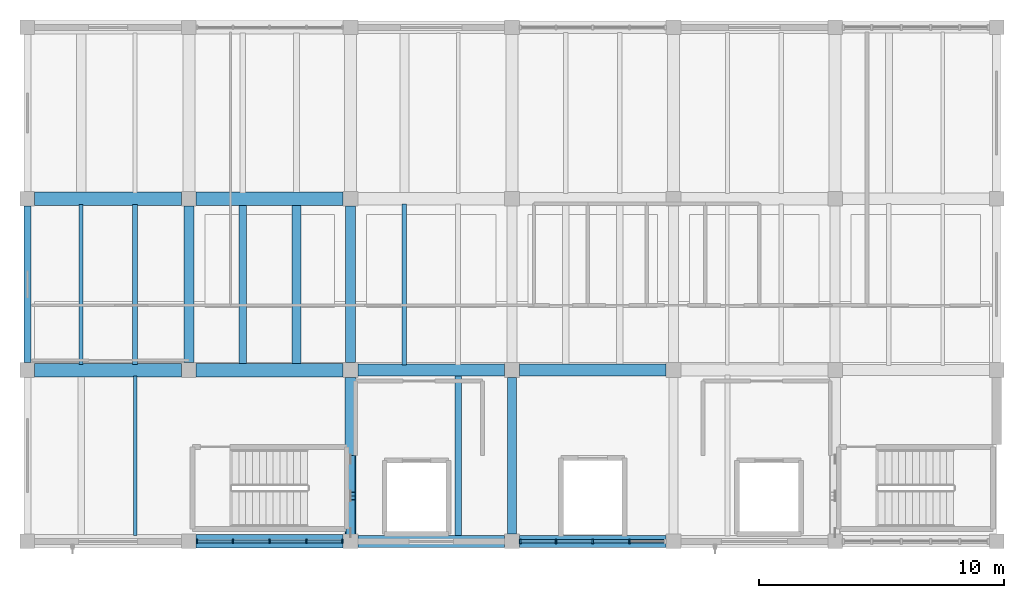
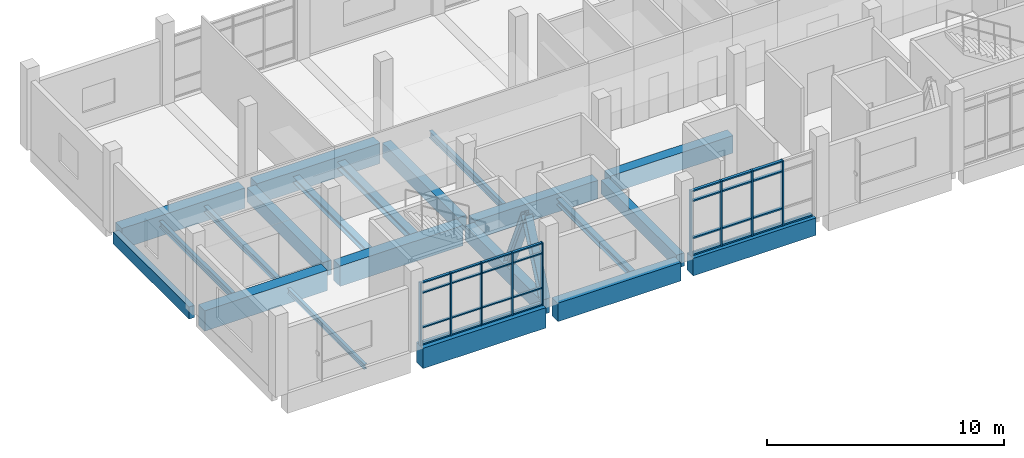
# One storey, part 2 of 14: 40 members, 21 beams, 2 elements without a shape of their own.
"""IFC4 building model written with IfcOpenShell, lengths in metres."""

from ifc_helpers import new_model, si_unit, direction, frame, origin, origin_2d, place, context, subcontext, project, spatial, rectangle, i_section, extrude, material, material_profile, profile_set, type_object, element, aggregate, save


model = new_model("IFC4")

# Units and contexts
model_context = context("Model", 3, precision=1e-05, world=origin(), true_north=direction((0.0, 1.0)))
body_context = subcontext(model_context, "Body", "Model", "MODEL_VIEW")
ifc_project = project(units=[si_unit("LENGTHUNIT", "METRE"), si_unit("AREAUNIT", "SQUARE_METRE"), si_unit("VOLUMEUNIT", "CUBIC_METRE"), si_unit("PLANEANGLEUNIT", "RADIAN"), si_unit("MASSUNIT", "GRAM", prefix="KILO")], contexts=[model_context])

# Site, building, storey
site_placement = place(None, origin())
site = spatial("IfcSite", under=ifc_project, at=site_placement, CompositionType="ELEMENT")
building_placement = place(site_placement, origin())
building = spatial("IfcBuilding", under=site, at=building_placement, Name="Ciguamira Faculty of Natural Sciences", CompositionType="ELEMENT")
storey_placement = place(building_placement, frame((0.0, 0.0, 33.60009765625)))
storey = spatial("IfcBuildingStorey", under=building, at=storey_placement, Name="L08", CompositionType="ELEMENT", Elevation=33.60009765625)

# Curtain wall, members
ifc_material_1 = material(Name="Anodized aluminium curtain wall", Category="aluminium")
curtain_wall_type_1 = type_object("IfcCurtainWallType", Name="CurtainWall_CW-10", PredefinedType="USERDEFINED", material=ifc_material_1)
curtain_wall_1_placement = place(storey_placement, origin())
curtain_wall_1 = element("IfcCurtainWall", 1, at=curtain_wall_1_placement, inside=storey, type_object=curtain_wall_type_1, Name="L08 unitised curtain wall 0154", ObjectType="UNITISED CURTAIN WALL", PredefinedType="USERDEFINED")
ifc_material_2 = material(Name="Anodized aluminium mullion", Category="aluminium")
ifc_material_profile_1 = material_profile(ifc_material_2, rectangle(XDim=0.06005859375, YDim=0.159912109375, at=origin_2d()), Name="ALU-MUL-60X160")
ifc_profile_set_1 = profile_set([ifc_material_profile_1], Name="Anodized aluminium mullion")
member_type_1 = type_object("IfcMemberType", Name="CWMullion_CWM-01", PredefinedType="MULLION", material=ifc_profile_set_1)
member_1_placement = place(storey_placement, frame((70.830078125, 94.0, 0.0), z_axis=(0.0, 0.0, 1.0), x_axis=(1.0, 0.0, 0.0)))
member_1 = element("IfcMember", 2, at=member_1_placement, type_object=member_type_1, Name="CW-10 mullion 1", PredefinedType="MULLION", context=body_context, shape_type="SweptSolid", body=[
    extrude(rectangle(XDim=0.06005859375, YDim=0.159912109375, at=origin_2d()), origin(), (0.0, 0.0, 1.0), 3.23486328125),
])
member_2_placement = place(storey_placement, frame((72.300048828125, 94.0, 0.0), z_axis=(0.0, 0.0, 1.0), x_axis=(1.0, 0.0, 0.0)))
member_2 = element("IfcMember", 3, at=member_2_placement, type_object=member_type_1, Name="CW-10 mullion 2", PredefinedType="MULLION", context=body_context, shape_type="SweptSolid", body=[
    extrude(rectangle(XDim=0.06005859375, YDim=0.159912109375, at=origin_2d()), origin(), (0.0, 0.0, 1.0), 3.23486328125),
])
member_3_placement = place(storey_placement, frame((73.800048828125, 94.0, 0.0), z_axis=(0.0, 0.0, 1.0), x_axis=(1.0, 0.0, 0.0)))
member_3 = element("IfcMember", 4, at=member_3_placement, type_object=member_type_1, Name="CW-10 mullion 3", PredefinedType="MULLION", context=body_context, shape_type="SweptSolid", body=[
    extrude(rectangle(XDim=0.06005859375, YDim=0.159912109375, at=origin_2d()), origin(), (0.0, 0.0, 1.0), 3.23486328125),
])
member_4_placement = place(storey_placement, frame((75.300048828125, 94.0, 0.0), z_axis=(0.0, 0.0, 1.0), x_axis=(1.0, 0.0, 0.0)))
member_4 = element("IfcMember", 5, at=member_4_placement, type_object=member_type_1, Name="CW-10 mullion 4", PredefinedType="MULLION", context=body_context, shape_type="SweptSolid", body=[
    extrude(rectangle(XDim=0.06005859375, YDim=0.159912109375, at=origin_2d()), origin(), (0.0, 0.0, 1.0), 3.23486328125),
])
member_5_placement = place(storey_placement, frame((76.77001953125, 94.0, 0.0), z_axis=(0.0, 0.0, 1.0), x_axis=(1.0, 0.0, 0.0)))
member_5 = element("IfcMember", 6, at=member_5_placement, type_object=member_type_1, Name="CW-10 mullion 5", PredefinedType="MULLION", context=body_context, shape_type="SweptSolid", body=[
    extrude(rectangle(XDim=0.06005859375, YDim=0.159912109375, at=origin_2d()), origin(), (0.0, 0.0, 1.0), 3.23486328125),
])

curtain_wall_type_2 = type_object("IfcCurtainWallType", Name="CurtainWall_CW-11", PredefinedType="USERDEFINED", material=ifc_material_1)
curtain_wall_2_placement = place(storey_placement, origin())
curtain_wall_2 = element("IfcCurtainWall", 7, at=curtain_wall_2_placement, inside=storey, type_object=curtain_wall_type_2, Name="L08 unitised curtain wall 0155", ObjectType="UNITISED CURTAIN WALL", PredefinedType="USERDEFINED")
ifc_material_profile_2 = material_profile(ifc_material_2, rectangle(XDim=0.070068359375, YDim=0.179931640625, at=origin_2d()), Name="ALU-MUL-70X180")
ifc_profile_set_2 = profile_set([ifc_material_profile_2], Name="Anodized aluminium mullion")
member_type_2 = type_object("IfcMemberType", Name="CWMullion_CWM-02", PredefinedType="MULLION", material=ifc_profile_set_2)
member_6_placement = place(storey_placement, frame((84.034912109375, 94.0, 0.0), z_axis=(0.0, 0.0, 1.0), x_axis=(1.0, 0.0, 0.0)))
member_6 = element("IfcMember", 8, at=member_6_placement, type_object=member_type_2, Name="CW-11 mullion 1", PredefinedType="MULLION", context=body_context, shape_type="SweptSolid", body=[
    extrude(rectangle(XDim=0.070068359375, YDim=0.179931640625, at=origin_2d()), origin(), (0.0, 0.0, 1.0), 3.364990234375),
])
member_7_placement = place(storey_placement, frame((85.5, 94.0, 0.0), z_axis=(0.0, 0.0, 1.0), x_axis=(1.0, 0.0, 0.0)))
member_7 = element("IfcMember", 9, at=member_7_placement, type_object=member_type_2, Name="CW-11 mullion 2", PredefinedType="MULLION", context=body_context, shape_type="SweptSolid", body=[
    extrude(rectangle(XDim=0.070068359375, YDim=0.179931640625, at=origin_2d()), origin(), (0.0, 0.0, 1.0), 3.364990234375),
])
member_8_placement = place(storey_placement, frame((87.0, 94.0, 0.0), z_axis=(0.0, 0.0, 1.0), x_axis=(1.0, 0.0, 0.0)))
member_8 = element("IfcMember", 10, at=member_8_placement, type_object=member_type_2, Name="CW-11 mullion 3", PredefinedType="MULLION", context=body_context, shape_type="SweptSolid", body=[
    extrude(rectangle(XDim=0.070068359375, YDim=0.179931640625, at=origin_2d()), origin(), (0.0, 0.0, 1.0), 3.364990234375),
])
member_9_placement = place(storey_placement, frame((88.5, 94.0, 0.0), z_axis=(0.0, 0.0, 1.0), x_axis=(1.0, 0.0, 0.0)))
member_9 = element("IfcMember", 11, at=member_9_placement, type_object=member_type_2, Name="CW-11 mullion 4", PredefinedType="MULLION", context=body_context, shape_type="SweptSolid", body=[
    extrude(rectangle(XDim=0.070068359375, YDim=0.179931640625, at=origin_2d()), origin(), (0.0, 0.0, 1.0), 3.364990234375),
])

# Member
ifc_material_3 = material(Name="Anodized aluminium transom", Category="aluminium")
ifc_material_profile_3 = material_profile(ifc_material_3, rectangle(XDim=0.06005859375, YDim=0.1201171875, at=origin_2d()), Name="ALU-TRN-60X120")
ifc_profile_set_3 = profile_set([ifc_material_profile_3], Name="Anodized aluminium transom")
member_type_3 = type_object("IfcMemberType", Name="CWTransom_CWT-01", PredefinedType="USERDEFINED", material=ifc_profile_set_3)
member_10_placement = place(storey_placement, frame((70.860107421875, 94.0, 0.02978515625), z_axis=(1.0, 0.0, 0.0), x_axis=(0.0, 0.0, 1.0)))
member_10 = element("IfcMember", 12, at=member_10_placement, type_object=member_type_3, Name="CW-10 transom 1.1", ObjectType="TRANSOM", PredefinedType="USERDEFINED", context=body_context, shape_type="SweptSolid", body=[
    extrude(rectangle(XDim=0.06005859375, YDim=0.1201171875, at=origin_2d()), origin(), (0.0, 0.0, 1.0), 1.409912109375),
])

member_11_placement = place(storey_placement, frame((70.860107421875, 94.0, 0.89990234375), z_axis=(1.0, 0.0, 0.0), x_axis=(0.0, 0.0, 1.0)))
member_11 = element("IfcMember", 13, at=member_11_placement, type_object=member_type_3, Name="CW-10 transom 1.2", ObjectType="TRANSOM", PredefinedType="USERDEFINED", context=body_context, shape_type="SweptSolid", body=[
    extrude(rectangle(XDim=0.06005859375, YDim=0.1201171875, at=origin_2d()), origin(), (0.0, 0.0, 1.0), 1.409912109375),
])

member_12_placement = place(storey_placement, frame((70.860107421875, 94.0, 2.684814453125), z_axis=(1.0, 0.0, 0.0), x_axis=(0.0, 0.0, 1.0)))
member_12 = element("IfcMember", 14, at=member_12_placement, type_object=member_type_3, Name="CW-10 transom 1.3", ObjectType="TRANSOM", PredefinedType="USERDEFINED", context=body_context, shape_type="SweptSolid", body=[
    extrude(rectangle(XDim=0.06005859375, YDim=0.1201171875, at=origin_2d()), origin(), (0.0, 0.0, 1.0), 1.409912109375),
])

member_13_placement = place(storey_placement, frame((70.860107421875, 94.0, 3.204833984375), z_axis=(1.0, 0.0, 0.0), x_axis=(0.0, 0.0, 1.0)))
member_13 = element("IfcMember", 15, at=member_13_placement, type_object=member_type_3, Name="CW-10 transom 1.4", ObjectType="TRANSOM", PredefinedType="USERDEFINED", context=body_context, shape_type="SweptSolid", body=[
    extrude(rectangle(XDim=0.06005859375, YDim=0.1201171875, at=origin_2d()), origin(), (0.0, 0.0, 1.0), 1.409912109375),
])

member_14_placement = place(storey_placement, frame((72.330078125, 94.0, 0.02978515625), z_axis=(1.0, 0.0, 0.0), x_axis=(0.0, 0.0, 1.0)))
member_14 = element("IfcMember", 16, at=member_14_placement, type_object=member_type_3, Name="CW-10 transom 2.1", ObjectType="TRANSOM", PredefinedType="USERDEFINED", context=body_context, shape_type="SweptSolid", body=[
    extrude(rectangle(XDim=0.06005859375, YDim=0.1201171875, at=origin_2d()), origin(), (0.0, 0.0, 1.0), 1.43994140625),
])

member_15_placement = place(storey_placement, frame((72.330078125, 94.0, 0.89990234375), z_axis=(1.0, 0.0, 0.0), x_axis=(0.0, 0.0, 1.0)))
member_15 = element("IfcMember", 17, at=member_15_placement, type_object=member_type_3, Name="CW-10 transom 2.2", ObjectType="TRANSOM", PredefinedType="USERDEFINED", context=body_context, shape_type="SweptSolid", body=[
    extrude(rectangle(XDim=0.06005859375, YDim=0.1201171875, at=origin_2d()), origin(), (0.0, 0.0, 1.0), 1.43994140625),
])

member_16_placement = place(storey_placement, frame((72.330078125, 94.0, 2.684814453125), z_axis=(1.0, 0.0, 0.0), x_axis=(0.0, 0.0, 1.0)))
member_16 = element("IfcMember", 18, at=member_16_placement, type_object=member_type_3, Name="CW-10 transom 2.3", ObjectType="TRANSOM", PredefinedType="USERDEFINED", context=body_context, shape_type="SweptSolid", body=[
    extrude(rectangle(XDim=0.06005859375, YDim=0.1201171875, at=origin_2d()), origin(), (0.0, 0.0, 1.0), 1.43994140625),
])

member_17_placement = place(storey_placement, frame((72.330078125, 94.0, 3.204833984375), z_axis=(1.0, 0.0, 0.0), x_axis=(0.0, 0.0, 1.0)))
member_17 = element("IfcMember", 19, at=member_17_placement, type_object=member_type_3, Name="CW-10 transom 2.4", ObjectType="TRANSOM", PredefinedType="USERDEFINED", context=body_context, shape_type="SweptSolid", body=[
    extrude(rectangle(XDim=0.06005859375, YDim=0.1201171875, at=origin_2d()), origin(), (0.0, 0.0, 1.0), 1.43994140625),
])

member_18_placement = place(storey_placement, frame((73.830078125, 94.0, 0.02978515625), z_axis=(1.0, 0.0, 0.0), x_axis=(0.0, 0.0, 1.0)))
member_18 = element("IfcMember", 20, at=member_18_placement, type_object=member_type_3, Name="CW-10 transom 3.1", ObjectType="TRANSOM", PredefinedType="USERDEFINED", context=body_context, shape_type="SweptSolid", body=[
    extrude(rectangle(XDim=0.06005859375, YDim=0.1201171875, at=origin_2d()), origin(), (0.0, 0.0, 1.0), 1.43994140625),
])

member_19_placement = place(storey_placement, frame((73.830078125, 94.0, 0.89990234375), z_axis=(1.0, 0.0, 0.0), x_axis=(0.0, 0.0, 1.0)))
member_19 = element("IfcMember", 21, at=member_19_placement, type_object=member_type_3, Name="CW-10 transom 3.2", ObjectType="TRANSOM", PredefinedType="USERDEFINED", context=body_context, shape_type="SweptSolid", body=[
    extrude(rectangle(XDim=0.06005859375, YDim=0.1201171875, at=origin_2d()), origin(), (0.0, 0.0, 1.0), 1.43994140625),
])

member_20_placement = place(storey_placement, frame((73.830078125, 94.0, 2.684814453125), z_axis=(1.0, 0.0, 0.0), x_axis=(0.0, 0.0, 1.0)))
member_20 = element("IfcMember", 22, at=member_20_placement, type_object=member_type_3, Name="CW-10 transom 3.3", ObjectType="TRANSOM", PredefinedType="USERDEFINED", context=body_context, shape_type="SweptSolid", body=[
    extrude(rectangle(XDim=0.06005859375, YDim=0.1201171875, at=origin_2d()), origin(), (0.0, 0.0, 1.0), 1.43994140625),
])

member_21_placement = place(storey_placement, frame((73.830078125, 94.0, 3.204833984375), z_axis=(1.0, 0.0, 0.0), x_axis=(0.0, 0.0, 1.0)))
member_21 = element("IfcMember", 23, at=member_21_placement, type_object=member_type_3, Name="CW-10 transom 3.4", ObjectType="TRANSOM", PredefinedType="USERDEFINED", context=body_context, shape_type="SweptSolid", body=[
    extrude(rectangle(XDim=0.06005859375, YDim=0.1201171875, at=origin_2d()), origin(), (0.0, 0.0, 1.0), 1.43994140625),
])

member_22_placement = place(storey_placement, frame((75.330078125, 94.0, 0.02978515625), z_axis=(1.0, 0.0, 0.0), x_axis=(0.0, 0.0, 1.0)))
member_22 = element("IfcMember", 24, at=member_22_placement, type_object=member_type_3, Name="CW-10 transom 4.1", ObjectType="TRANSOM", PredefinedType="USERDEFINED", context=body_context, shape_type="SweptSolid", body=[
    extrude(rectangle(XDim=0.06005859375, YDim=0.1201171875, at=origin_2d()), origin(), (0.0, 0.0, 1.0), 1.409912109375),
])

member_23_placement = place(storey_placement, frame((75.330078125, 94.0, 0.89990234375), z_axis=(1.0, 0.0, 0.0), x_axis=(0.0, 0.0, 1.0)))
member_23 = element("IfcMember", 25, at=member_23_placement, type_object=member_type_3, Name="CW-10 transom 4.2", ObjectType="TRANSOM", PredefinedType="USERDEFINED", context=body_context, shape_type="SweptSolid", body=[
    extrude(rectangle(XDim=0.06005859375, YDim=0.1201171875, at=origin_2d()), origin(), (0.0, 0.0, 1.0), 1.409912109375),
])

member_24_placement = place(storey_placement, frame((75.330078125, 94.0, 2.684814453125), z_axis=(1.0, 0.0, 0.0), x_axis=(0.0, 0.0, 1.0)))
member_24 = element("IfcMember", 26, at=member_24_placement, type_object=member_type_3, Name="CW-10 transom 4.3", ObjectType="TRANSOM", PredefinedType="USERDEFINED", context=body_context, shape_type="SweptSolid", body=[
    extrude(rectangle(XDim=0.06005859375, YDim=0.1201171875, at=origin_2d()), origin(), (0.0, 0.0, 1.0), 1.409912109375),
])

member_25_placement = place(storey_placement, frame((75.330078125, 94.0, 3.204833984375), z_axis=(1.0, 0.0, 0.0), x_axis=(0.0, 0.0, 1.0)))
member_25 = element("IfcMember", 27, at=member_25_placement, type_object=member_type_3, Name="CW-10 transom 4.4", ObjectType="TRANSOM", PredefinedType="USERDEFINED", context=body_context, shape_type="SweptSolid", body=[
    extrude(rectangle(XDim=0.06005859375, YDim=0.1201171875, at=origin_2d()), origin(), (0.0, 0.0, 1.0), 1.409912109375),
])

aggregate(curtain_wall_1, [member_1, member_2, member_3, member_4, member_5, member_10, member_11, member_12, member_13, member_14, member_15, member_16, member_17, member_18, member_19, member_20, member_21, member_22, member_23, member_24, member_25])

ifc_material_profile_4 = material_profile(ifc_material_3, rectangle(XDim=0.070068359375, YDim=0.139892578125, at=origin_2d()), Name="ALU-TRN-70X140")
ifc_profile_set_4 = profile_set([ifc_material_profile_4], Name="Anodized aluminium transom")
member_type_4 = type_object("IfcMemberType", Name="CWTransom_CWT-02", PredefinedType="USERDEFINED", material=ifc_profile_set_4)
member_26_placement = place(storey_placement, frame((84.070068359375, 94.0, 0.034912109375), z_axis=(1.0, 0.0, 0.0), x_axis=(0.0, 0.0, 1.0)))
member_26 = element("IfcMember", 28, at=member_26_placement, type_object=member_type_4, Name="CW-11 transom 1.1", ObjectType="TRANSOM", PredefinedType="USERDEFINED", context=body_context, shape_type="SweptSolid", body=[
    extrude(rectangle(XDim=0.070068359375, YDim=0.139892578125, at=origin_2d()), origin(), (0.0, 0.0, 1.0), 1.39501953125),
])

member_27_placement = place(storey_placement, frame((84.070068359375, 94.0, 0.89990234375), z_axis=(1.0, 0.0, 0.0), x_axis=(0.0, 0.0, 1.0)))
member_27 = element("IfcMember", 29, at=member_27_placement, type_object=member_type_4, Name="CW-11 transom 1.2", ObjectType="TRANSOM", PredefinedType="USERDEFINED", context=body_context, shape_type="SweptSolid", body=[
    extrude(rectangle(XDim=0.070068359375, YDim=0.139892578125, at=origin_2d()), origin(), (0.0, 0.0, 1.0), 1.39501953125),
])

member_28_placement = place(storey_placement, frame((84.070068359375, 94.0, 2.81494140625), z_axis=(1.0, 0.0, 0.0), x_axis=(0.0, 0.0, 1.0)))
member_28 = element("IfcMember", 30, at=member_28_placement, type_object=member_type_4, Name="CW-11 transom 1.3", ObjectType="TRANSOM", PredefinedType="USERDEFINED", context=body_context, shape_type="SweptSolid", body=[
    extrude(rectangle(XDim=0.070068359375, YDim=0.139892578125, at=origin_2d()), origin(), (0.0, 0.0, 1.0), 1.39501953125),
])

member_29_placement = place(storey_placement, frame((84.070068359375, 94.0, 3.329833984375), z_axis=(1.0, 0.0, 0.0), x_axis=(0.0, 0.0, 1.0)))
member_29 = element("IfcMember", 31, at=member_29_placement, type_object=member_type_4, Name="CW-11 transom 1.4", ObjectType="TRANSOM", PredefinedType="USERDEFINED", context=body_context, shape_type="SweptSolid", body=[
    extrude(rectangle(XDim=0.070068359375, YDim=0.139892578125, at=origin_2d()), origin(), (0.0, 0.0, 1.0), 1.39501953125),
])

member_30_placement = place(storey_placement, frame((85.534912109375, 94.0, 0.034912109375), z_axis=(1.0, 0.0, 0.0), x_axis=(0.0, 0.0, 1.0)))
member_30 = element("IfcMember", 32, at=member_30_placement, type_object=member_type_4, Name="CW-11 transom 2.1", ObjectType="TRANSOM", PredefinedType="USERDEFINED", context=body_context, shape_type="SweptSolid", body=[
    extrude(rectangle(XDim=0.070068359375, YDim=0.139892578125, at=origin_2d()), origin(), (0.0, 0.0, 1.0), 1.43017578125),
])

member_31_placement = place(storey_placement, frame((85.534912109375, 94.0, 0.89990234375), z_axis=(1.0, 0.0, 0.0), x_axis=(0.0, 0.0, 1.0)))
member_31 = element("IfcMember", 33, at=member_31_placement, type_object=member_type_4, Name="CW-11 transom 2.2", ObjectType="TRANSOM", PredefinedType="USERDEFINED", context=body_context, shape_type="SweptSolid", body=[
    extrude(rectangle(XDim=0.070068359375, YDim=0.139892578125, at=origin_2d()), origin(), (0.0, 0.0, 1.0), 1.43017578125),
])

member_32_placement = place(storey_placement, frame((85.534912109375, 94.0, 2.81494140625), z_axis=(1.0, 0.0, 0.0), x_axis=(0.0, 0.0, 1.0)))
member_32 = element("IfcMember", 34, at=member_32_placement, type_object=member_type_4, Name="CW-11 transom 2.3", ObjectType="TRANSOM", PredefinedType="USERDEFINED", context=body_context, shape_type="SweptSolid", body=[
    extrude(rectangle(XDim=0.070068359375, YDim=0.139892578125, at=origin_2d()), origin(), (0.0, 0.0, 1.0), 1.43017578125),
])

member_33_placement = place(storey_placement, frame((85.534912109375, 94.0, 3.329833984375), z_axis=(1.0, 0.0, 0.0), x_axis=(0.0, 0.0, 1.0)))
member_33 = element("IfcMember", 35, at=member_33_placement, type_object=member_type_4, Name="CW-11 transom 2.4", ObjectType="TRANSOM", PredefinedType="USERDEFINED", context=body_context, shape_type="SweptSolid", body=[
    extrude(rectangle(XDim=0.070068359375, YDim=0.139892578125, at=origin_2d()), origin(), (0.0, 0.0, 1.0), 1.43017578125),
])

member_34_placement = place(storey_placement, frame((87.034912109375, 94.0, 0.034912109375), z_axis=(1.0, 0.0, 0.0), x_axis=(0.0, 0.0, 1.0)))
member_34 = element("IfcMember", 36, at=member_34_placement, type_object=member_type_4, Name="CW-11 transom 3.1", ObjectType="TRANSOM", PredefinedType="USERDEFINED", context=body_context, shape_type="SweptSolid", body=[
    extrude(rectangle(XDim=0.070068359375, YDim=0.139892578125, at=origin_2d()), origin(), (0.0, 0.0, 1.0), 1.43017578125),
])

member_35_placement = place(storey_placement, frame((87.034912109375, 94.0, 0.89990234375), z_axis=(1.0, 0.0, 0.0), x_axis=(0.0, 0.0, 1.0)))
member_35 = element("IfcMember", 37, at=member_35_placement, type_object=member_type_4, Name="CW-11 transom 3.2", ObjectType="TRANSOM", PredefinedType="USERDEFINED", context=body_context, shape_type="SweptSolid", body=[
    extrude(rectangle(XDim=0.070068359375, YDim=0.139892578125, at=origin_2d()), origin(), (0.0, 0.0, 1.0), 1.43017578125),
])

member_36_placement = place(storey_placement, frame((87.034912109375, 94.0, 2.81494140625), z_axis=(1.0, 0.0, 0.0), x_axis=(0.0, 0.0, 1.0)))
member_36 = element("IfcMember", 38, at=member_36_placement, type_object=member_type_4, Name="CW-11 transom 3.3", ObjectType="TRANSOM", PredefinedType="USERDEFINED", context=body_context, shape_type="SweptSolid", body=[
    extrude(rectangle(XDim=0.070068359375, YDim=0.139892578125, at=origin_2d()), origin(), (0.0, 0.0, 1.0), 1.43017578125),
])

member_37_placement = place(storey_placement, frame((87.034912109375, 94.0, 3.329833984375), z_axis=(1.0, 0.0, 0.0), x_axis=(0.0, 0.0, 1.0)))
member_37 = element("IfcMember", 39, at=member_37_placement, type_object=member_type_4, Name="CW-11 transom 3.4", ObjectType="TRANSOM", PredefinedType="USERDEFINED", context=body_context, shape_type="SweptSolid", body=[
    extrude(rectangle(XDim=0.070068359375, YDim=0.139892578125, at=origin_2d()), origin(), (0.0, 0.0, 1.0), 1.43017578125),
])

member_38_placement = place(storey_placement, frame((88.534912109375, 94.0, 0.034912109375), z_axis=(1.0, 0.0, 0.0), x_axis=(0.0, 0.0, 1.0)))
member_38 = element("IfcMember", 40, at=member_38_placement, type_object=member_type_4, Name="CW-11 transom 4.1", ObjectType="TRANSOM", PredefinedType="USERDEFINED", context=body_context, shape_type="SweptSolid", body=[
    extrude(rectangle(XDim=0.070068359375, YDim=0.139892578125, at=origin_2d()), origin(), (0.0, 0.0, 1.0), 1.39501953125),
])

aggregate(curtain_wall_2, [member_6, member_7, member_8, member_9, member_26, member_27, member_28, member_29, member_30, member_31, member_32, member_33, member_34, member_35, member_36, member_37, member_38])

# Beams
ifc_material_4 = material(Name="Concrete C40/50", Category="concrete")
ifc_material_profile_5 = material_profile(ifc_material_4, rectangle(XDim=0.550048828125, YDim=1.050048828125, at=origin_2d()), Name="RC-BM-550X1050")
ifc_profile_set_5 = profile_set([ifc_material_profile_5], Name="Concrete C40/50")
beam_type_1 = type_object("IfcBeamType", Name="RCBeam_BG-01_RC-BM-550X1050", PredefinedType="BEAM", material=ifc_profile_set_5)
for number, where, z_axis, x_axis, name in (
    (41, (70.800048828125, 94.0, -0.525146484375), (1.0, 0.0, 0.0), (0.0, 1.0, 0.0), "L08 RC girder EW-1593"),
    (42, (64.199951171875, 101.0, -0.525146484375), (1.0, 0.0, 0.0), (0.0, 1.0, 0.0), "L08 RC girder EW-1598"),
    (43, (70.800048828125, 101.0, -0.525146484375), (1.0, 0.0, 0.0), (0.0, 1.0, 0.0), "L08 RC girder EW-1599"),
    (44, (64.199951171875, 108.0, -0.525146484375), (1.0, 0.0, 0.0), (0.0, 1.0, 0.0), "L08 RC girder EW-1604"),
    (45, (70.800048828125, 108.0, -0.525146484375), (1.0, 0.0, 0.0), (0.0, 1.0, 0.0), "L08 RC girder EW-1605"),
):
    element("IfcBeam", number, at=place(storey_placement, frame(where, z_axis=z_axis, x_axis=x_axis)), inside=storey, type_object=beam_type_1, Name=name, PredefinedType="BEAM", context=body_context, shape_type="SweptSolid", body=[
        extrude(rectangle(XDim=0.550048828125, YDim=1.050048828125, at=origin_2d()), origin(), (0.0, 0.0, 1.0), 6.0),
    ])
ifc_material_profile_6 = material_profile(ifc_material_4, rectangle(XDim=0.5, YDim=0.949951171875, at=origin_2d()), Name="RC-BM-500X950")
ifc_profile_set_6 = profile_set([ifc_material_profile_6], Name="Concrete C40/50")
beam_type_2 = type_object("IfcBeamType", Name="RCBeam_BG-02_RC-BM-500X950", PredefinedType="BEAM", material=ifc_profile_set_6)
for number, where, z_axis, x_axis, name in (
    (46, (77.39990234375, 94.0, -0.47509765625), (1.0, 0.0, 0.0), (0.0, 1.0, 0.0), "L08 RC girder EW-1594"),
    (47, (77.39990234375, 101.0, -0.47509765625), (1.0, 0.0, 0.0), (0.0, 1.0, 0.0), "L08 RC girder EW-1600"),
):
    element("IfcBeam", number, at=place(storey_placement, frame(where, z_axis=z_axis, x_axis=x_axis)), inside=storey, type_object=beam_type_2, Name=name, PredefinedType="BEAM", context=body_context, shape_type="SweptSolid", body=[
        extrude(rectangle(XDim=0.5, YDim=0.949951171875, at=origin_2d()), origin(), (0.0, 0.0, 1.0), 6.0),
    ])
ifc_material_profile_7 = material_profile(ifc_material_4, rectangle(XDim=0.5, YDim=0.89990234375, at=origin_2d()), Name="RC-BM-500X900")
ifc_profile_set_7 = profile_set([ifc_material_profile_7], Name="Concrete C40/50")
beam_type_3 = type_object("IfcBeamType", Name="RCBeam_BG-03_RC-BM-500X900", PredefinedType="BEAM", material=ifc_profile_set_7)
for number, where, z_axis, x_axis, name in (
    (48, (84.0, 94.0, -0.4501953125), (1.0, 0.0, 0.0), (0.0, 1.0, 0.0), "L08 RC girder EW-1595"),
    (49, (84.0, 101.0, -0.4501953125), (1.0, 0.0, 0.0), (0.0, 1.0, 0.0), "L08 RC girder EW-1601"),
):
    element("IfcBeam", number, at=place(storey_placement, frame(where, z_axis=z_axis, x_axis=x_axis)), inside=storey, type_object=beam_type_3, Name=name, PredefinedType="BEAM", context=body_context, shape_type="SweptSolid", body=[
        extrude(rectangle(XDim=0.5, YDim=0.89990234375, at=origin_2d()), origin(), (0.0, 0.0, 1.0), 6.0),
    ])
ifc_material_profile_8 = material_profile(ifc_material_4, rectangle(XDim=0.43994140625, YDim=0.780029296875, at=origin_2d()), Name="RC-BM-440X780")
ifc_profile_set_8 = profile_set([ifc_material_profile_8], Name="Concrete C40/50")
beam_type_4 = type_object("IfcBeamType", Name="RCBeam_BG-06_RC-BM-440X780", PredefinedType="BEAM", material=ifc_profile_set_8)
beam_1_placement = place(storey_placement, frame((77.10009765625, 94.300048828125, -0.39013671875), z_axis=(0.0, 1.0, 0.0), x_axis=(-1.0, 0.0, 0.0)))
element("IfcBeam", 50, at=beam_1_placement, inside=storey, type_object=beam_type_4, Name="L08 core-end brace tie girder 77", PredefinedType="BEAM", context=body_context, shape_type="SweptSolid", body=[
    extrude(rectangle(XDim=0.43994140625, YDim=0.780029296875, at=origin_2d()), origin(), (0.0, 0.0, 1.0), 6.39990234375),
])
ifc_material_profile_9 = material_profile(ifc_material_4, rectangle(XDim=0.419921875, YDim=0.739990234375, at=origin_2d()), Name="RC-BM-420X740")
ifc_profile_set_9 = profile_set([ifc_material_profile_9], Name="Concrete C40/50")
beam_type_5 = type_object("IfcBeamType", Name="RCBeam_BG-07_RC-BM-420X740", PredefinedType="BEAM", material=ifc_profile_set_9)
for number, where, z_axis, x_axis, name in (
    (51, (70.5, 101.300048828125, -0.3701171875), (0.0, 1.0, 0.0), (-1.0, 0.0, 0.0), "L08 girder NS-1619"),
    (52, (77.10009765625, 101.300048828125, -0.3701171875), (0.0, 1.0, 0.0), (-1.0, 0.0, 0.0), "L08 girder NS-1621"),
):
    element("IfcBeam", number, at=place(storey_placement, frame(where, z_axis=z_axis, x_axis=x_axis)), inside=storey, type_object=beam_type_5, Name=name, PredefinedType="BEAM", context=body_context, shape_type="SweptSolid", body=[
        extrude(rectangle(XDim=0.419921875, YDim=0.739990234375, at=origin_2d()), origin(), (0.0, 0.0, 1.0), 6.39990234375),
    ])
ifc_material_profile_10 = material_profile(ifc_material_4, rectangle(XDim=0.3798828125, YDim=0.679931640625, at=origin_2d()), Name="RC-BM-380X680")
ifc_profile_set_10 = profile_set([ifc_material_profile_10], Name="Concrete C40/50")
beam_type_6 = type_object("IfcBeamType", Name="RCBeam_BG-09_RC-BM-380X680", PredefinedType="BEAM", material=ifc_profile_set_10)
beam_2_placement = place(storey_placement, frame((83.699951171875, 94.300048828125, -0.340087890625), z_axis=(0.0, 1.0, 0.0), x_axis=(-1.0, 0.0, 0.0)))
element("IfcBeam", 53, at=beam_2_placement, inside=storey, type_object=beam_type_6, Name="L08 girder NS-1623", PredefinedType="BEAM", context=body_context, shape_type="SweptSolid", body=[
    extrude(rectangle(XDim=0.3798828125, YDim=0.679931640625, at=origin_2d()), origin(), (0.0, 0.0, 1.0), 6.39990234375),
])
ifc_material_5 = material(Name="Precast concrete C40/50", Category="concrete")
ifc_material_profile_11 = material_profile(ifc_material_5, rectangle(XDim=0.280029296875, YDim=0.6201171875, at=origin_2d()), Name="RC-SP-280X620")
ifc_profile_set_11 = profile_set([ifc_material_profile_11], Name="Precast concrete C40/50")
beam_type_7 = type_object("IfcBeamType", Name="RCBeam_SP-01_RC-SP-280X620", PredefinedType="SPANDREL", material=ifc_profile_set_11)
beam_3_placement = place(storey_placement, frame((63.89990234375, 101.300048828125, -0.31005859375), z_axis=(0.0, 1.0, 0.0), x_axis=(-1.0, 0.0, 0.0)))
element("IfcBeam", 54, at=beam_3_placement, inside=storey, type_object=beam_type_7, Name="L08 girder NS-1617", PredefinedType="SPANDREL", context=body_context, shape_type="SweptSolid", body=[
    extrude(rectangle(XDim=0.280029296875, YDim=0.6201171875, at=origin_2d()), origin(), (0.0, 0.0, 1.0), 6.39990234375),
])
ifc_material_6 = material(Name="Steel ASTM A992 Grade 50", Category="steel")
ifc_material_profile_12 = material_profile(ifc_material_6, i_section(OverallWidth=0.14599609375, OverallDepth=0.259033203125, WebThickness=0.006103515625, FlangeThickness=0.009033203125, at=origin_2d()), Name="W10X22")
ifc_profile_set_12 = profile_set([ifc_material_profile_12], Name="Steel ASTM A992 Grade 50")
beam_type_8 = type_object("IfcBeamType", Name="SteelJoist_SJ-01_W10X22", PredefinedType="JOIST", material=ifc_profile_set_12)
beam_4_placement = place(storey_placement, frame((68.300048828125, 94.235107421875, -0.36962890625), z_axis=(0.0, 1.0, 0.0), x_axis=(-1.0, 0.0, 0.0)))
element("IfcBeam", 55, at=beam_4_placement, inside=storey, type_object=beam_type_8, Name="L08 composite steel joist 01451", PredefinedType="JOIST", context=body_context, shape_type="SweptSolid", body=[
    extrude(i_section(OverallWidth=0.14599609375, OverallDepth=0.259033203125, WebThickness=0.006103515625, FlangeThickness=0.009033203125, at=origin_2d()), origin(), (0.0, 0.0, 1.0), 6.52978515625),
])
ifc_material_profile_13 = material_profile(ifc_material_6, i_section(OverallWidth=0.16650390625, OverallDepth=0.3173828125, WebThickness=0.007568359375, FlangeThickness=0.01318359375, at=origin_2d()), Name="W12X35")
ifc_profile_set_13 = profile_set([ifc_material_profile_13], Name="Steel ASTM A992 Grade 50")
beam_type_9 = type_object("IfcBeamType", Name="SteelJoist_SJ-05_W12X35", PredefinedType="JOIST", material=ifc_profile_set_13)
beam_5_placement = place(storey_placement, frame((66.10009765625, 101.235107421875, -0.398681640625), z_axis=(0.0, 1.0, 0.0), x_axis=(-1.0, 0.0, 0.0)))
element("IfcBeam", 56, at=beam_5_placement, inside=storey, type_object=beam_type_9, Name="L08 composite steel joist 01452", PredefinedType="JOIST", context=body_context, shape_type="SweptSolid", body=[
    extrude(i_section(OverallWidth=0.16650390625, OverallDepth=0.3173828125, WebThickness=0.007568359375, FlangeThickness=0.01318359375, at=origin_2d()), origin(), (0.0, 0.0, 1.0), 6.52978515625),
])
ifc_material_profile_14 = material_profile(ifc_material_6, i_section(OverallWidth=0.20458984375, OverallDepth=0.307373046875, WebThickness=0.008544921875, FlangeThickness=0.0146484375, at=origin_2d()), Name="W12X45")
ifc_profile_set_14 = profile_set([ifc_material_profile_14], Name="Steel ASTM A992 Grade 50")
beam_type_10 = type_object("IfcBeamType", Name="SteelJoist_SJ-06_W12X45", PredefinedType="JOIST", material=ifc_profile_set_14)
beam_6_placement = place(storey_placement, frame((68.300048828125, 101.235107421875, -0.393798828125), z_axis=(0.0, 1.0, 0.0), x_axis=(-1.0, 0.0, 0.0)))
element("IfcBeam", 57, at=beam_6_placement, inside=storey, type_object=beam_type_10, Name="L08 composite steel joist 01453", PredefinedType="JOIST", context=body_context, shape_type="SweptSolid", body=[
    extrude(i_section(OverallWidth=0.20458984375, OverallDepth=0.307373046875, WebThickness=0.008544921875, FlangeThickness=0.0146484375, at=origin_2d()), origin(), (0.0, 0.0, 1.0), 6.52978515625),
])
ifc_material_profile_15 = material_profile(ifc_material_6, i_section(OverallWidth=0.25390625, OverallDepth=0.307373046875, WebThickness=0.0087890625, FlangeThickness=0.0146484375, at=origin_2d()), Name="W12X53")
ifc_profile_set_15 = profile_set([ifc_material_profile_15], Name="Steel ASTM A992 Grade 50")
beam_type_11 = type_object("IfcBeamType", Name="SteelJoist_SJ-07_W12X53", PredefinedType="JOIST", material=ifc_profile_set_15)
beam_7_placement = place(storey_placement, frame((81.5, 94.2099609375, -0.393798828125), z_axis=(0.0, 1.0, 0.0), x_axis=(-1.0, 0.0, 0.0)))
element("IfcBeam", 58, at=beam_7_placement, inside=storey, type_object=beam_type_11, Name="L08 composite steel joist 01460", PredefinedType="JOIST", context=body_context, shape_type="SweptSolid", body=[
    extrude(i_section(OverallWidth=0.25390625, OverallDepth=0.307373046875, WebThickness=0.0087890625, FlangeThickness=0.0146484375, at=origin_2d()), origin(), (0.0, 0.0, 1.0), 6.580078125),
])
ifc_material_profile_16 = material_profile(ifc_material_6, i_section(OverallWidth=0.3046875, OverallDepth=0.307373046875, WebThickness=0.010009765625, FlangeThickness=0.015380859375, at=origin_2d()), Name="W12X65")
ifc_profile_set_16 = profile_set([ifc_material_profile_16], Name="Steel ASTM A992 Grade 50")
beam_type_12 = type_object("IfcBeamType", Name="SteelJoist_SJ-08_W12X65", PredefinedType="JOIST", material=ifc_profile_set_16)
beam_8_placement = place(storey_placement, frame((72.699951171875, 101.235107421875, -0.393798828125), z_axis=(0.0, 1.0, 0.0), x_axis=(-1.0, 0.0, 0.0)))
element("IfcBeam", 59, at=beam_8_placement, inside=storey, type_object=beam_type_12, Name="L08 composite steel joist 01456", PredefinedType="JOIST", context=body_context, shape_type="SweptSolid", body=[
    extrude(i_section(OverallWidth=0.3046875, OverallDepth=0.307373046875, WebThickness=0.010009765625, FlangeThickness=0.015380859375, at=origin_2d()), origin(), (0.0, 0.0, 1.0), 6.52978515625),
])
ifc_material_profile_17 = material_profile(ifc_material_6, i_section(OverallWidth=0.370849609375, OverallDepth=0.36328125, WebThickness=0.013427734375, FlangeThickness=0.021728515625, at=origin_2d()), Name="W14X109")
ifc_profile_set_17 = profile_set([ifc_material_profile_17], Name="Steel ASTM A992 Grade 50")
beam_type_13 = type_object("IfcBeamType", Name="SteelJoist_SJ-09_W14X109", PredefinedType="JOIST", material=ifc_profile_set_17)
beam_9_placement = place(storey_placement, frame((74.89990234375, 101.235107421875, -0.421630859375), z_axis=(0.0, 1.0, 0.0), x_axis=(-1.0, 0.0, 0.0)))
element("IfcBeam", 60, at=beam_9_placement, inside=storey, type_object=beam_type_13, Name="L08 composite steel joist 01457", PredefinedType="JOIST", context=body_context, shape_type="SweptSolid", body=[
    extrude(i_section(OverallWidth=0.370849609375, OverallDepth=0.36328125, WebThickness=0.013427734375, FlangeThickness=0.021728515625, at=origin_2d()), origin(), (0.0, 0.0, 1.0), 6.52978515625),
])
ifc_material_profile_18 = material_profile(ifc_material_6, i_section(OverallWidth=0.1708984375, OverallDepth=0.3505859375, WebThickness=0.0068359375, FlangeThickness=0.009765625, at=origin_2d()), Name="W14X30")
ifc_profile_set_18 = profile_set([ifc_material_profile_18], Name="Steel ASTM A992 Grade 50")
beam_type_14 = type_object("IfcBeamType", Name="SteelJoist_SJ-11_W14X30", PredefinedType="JOIST", material=ifc_profile_set_18)
beam_10_placement = place(storey_placement, frame((79.300048828125, 101.2099609375, -0.415283203125), z_axis=(0.0, 1.0, 0.0), x_axis=(-1.0, 0.0, 0.0)))
element("IfcBeam", 61, at=beam_10_placement, inside=storey, type_object=beam_type_14, Name="L08 composite steel joist 01461", PredefinedType="JOIST", context=body_context, shape_type="SweptSolid", body=[
    extrude(i_section(OverallWidth=0.1708984375, OverallDepth=0.3505859375, WebThickness=0.0068359375, FlangeThickness=0.009765625, at=origin_2d()), origin(), (0.0, 0.0, 1.0), 6.580078125),
])

# Members
ifc_material_profile_19 = material_profile(ifc_material_6, i_section(OverallWidth=0.370849609375, OverallDepth=0.36328125, WebThickness=0.013427734375, FlangeThickness=0.021728515625, at=origin_2d()), Name="W14X109")
ifc_profile_set_19 = profile_set([ifc_material_profile_19], Name="Steel ASTM A992 Grade 50")
member_type_5 = type_object("IfcMemberType", Name="SteelMember_BR-02_W14X109", PredefinedType="BRACE", material=ifc_profile_set_19)
for number, where, z_axis, x_axis, name in (
    (62, (77.10009765625, 94.35009765625, 0.0), (0.0, 0.401669190317, 0.915784833653), (-1.0, 0.0, 0.0), "L08 lateral chevron brace 037"),
    (63, (77.10009765625, 97.35009765625, 0.0), (0.0, -0.401669190317, 0.915784833653), (1.0, 0.0, 0.0), "L08 lateral chevron brace 038"),
):
    element("IfcMember", number, at=place(storey_placement, frame(where, z_axis=z_axis, x_axis=x_axis)), inside=storey, type_object=member_type_5, Name=name, PredefinedType="BRACE", context=body_context, shape_type="SweptSolid", body=[
        extrude(i_section(OverallWidth=0.370849609375, OverallDepth=0.36328125, WebThickness=0.013427734375, FlangeThickness=0.021728515625, at=origin_2d()), origin(), (0.0, 0.0, 1.0), 3.734375),
    ])

save(model, "model.ifc")
